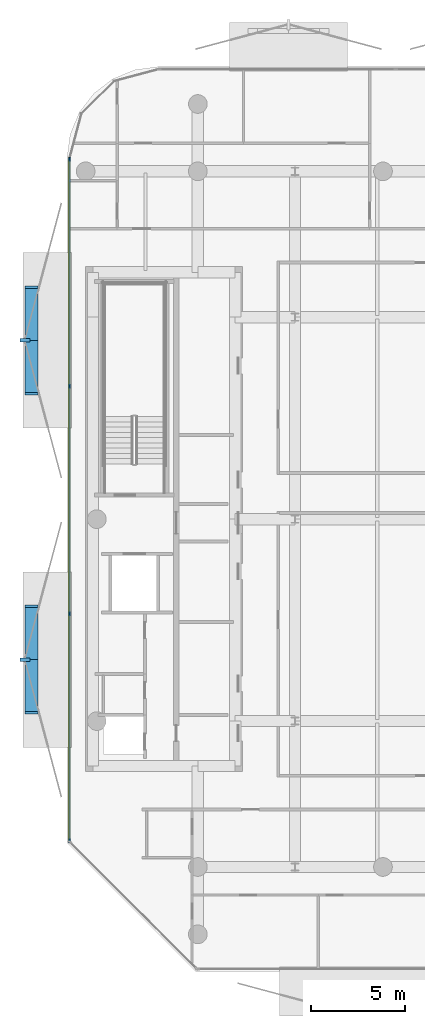
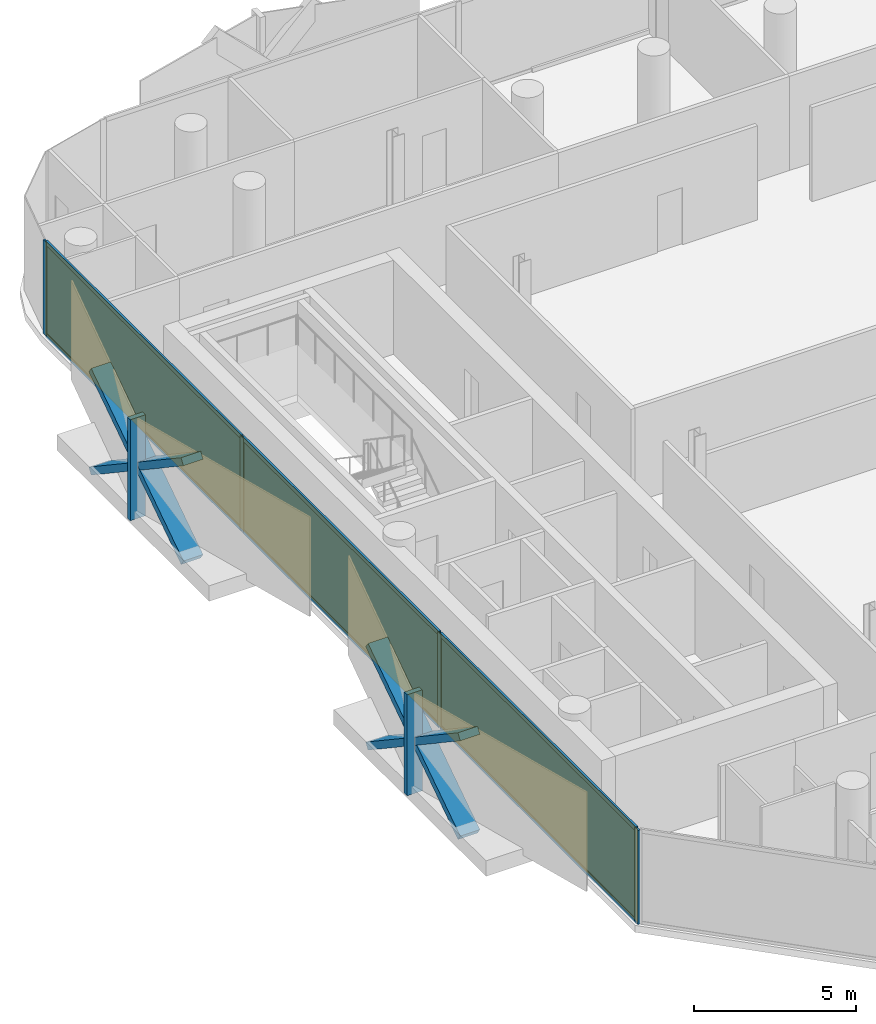
# One storey, part 10 of 16: 16 members, 3 plates, 1 curtain wall.
"""IFC4 building model written with IfcOpenShell, lengths in metres."""

from ifc_helpers import new_model, si_unit, direction, frame, frame_2d, origin, origin_2d, place, context, subcontext, project, spatial, rectangle, extrude, material, layer, layer_set, material_profile, profile_set, type_object, element, aggregate, save


model = new_model("IFC4")

# Units and contexts
model_context = context("Model", 3, precision=1e-05, world=origin(), true_north=direction((0.0, 1.0)))
body_context = subcontext(model_context, "Body", "Model", "MODEL_VIEW")
ifc_project = project(units=[si_unit("LENGTHUNIT", "METRE"), si_unit("AREAUNIT", "SQUARE_METRE"), si_unit("VOLUMEUNIT", "CUBIC_METRE"), si_unit("PLANEANGLEUNIT", "RADIAN"), si_unit("MASSUNIT", "GRAM", prefix="KILO")], contexts=[model_context])

# Member
ifc_material_1 = material(Name="Anodised Bronze Aluminium 6063-T6", Category="aluminium")
ifc_material_profile_1 = material_profile(ifc_material_1, rectangle(XDim=0.260009765625, YDim=0.699951171875, at=origin_2d()))
ifc_profile_set_1 = profile_set([ifc_material_profile_1], Name="Anodised Bronze Aluminium 6063-T6")
member_type_1 = type_object("IfcMemberType", Name="Bronze Diamond Solar-Screen Lattice Rib BDL-700", PredefinedType="MULLION", material=ifc_profile_set_1)
site_placement = place(None, origin())
building_placement = place(site_placement, origin())
storey_placement = place(building_placement, frame((0.0, 0.0, 292.800048828125)))
member_1_placement = place(storey_placement, frame((-23.300048828125, -10.353271484375, -0.130126953125), z_axis=(0.0, 0.83155035575, 0.555449372897), x_axis=(0.0, -0.555449372897, 0.83155035575)))
member_1 = element("IfcMember", 1, at=member_1_placement, type_object=member_type_1, Name="L70 Bronze Diamond Solar Screen Lattice Rib 488A", PredefinedType="MULLION", context=body_context, shape_type="SweptSolid", body=[
    extrude(rectangle(XDim=0.260009765625, YDim=0.699951171875, at=origin_2d()), origin(), (0.0, 0.0, 1.0), 6.84130859375),
])

member_2_placement = place(storey_placement, frame((-23.300048828125, -4.664306640625, -0.130126953125), z_axis=(0.0, -0.83155035575, 0.555449372897), x_axis=(0.0, 0.555449372897, 0.83155035575)))
member_2 = element("IfcMember", 2, at=member_2_placement, type_object=member_type_1, Name="L70 Bronze Diamond Solar Screen Lattice Rib 488B", PredefinedType="MULLION", context=body_context, shape_type="SweptSolid", body=[
    extrude(rectangle(XDim=0.260009765625, YDim=0.699951171875, at=origin_2d()), origin(), (0.0, 0.0, 1.0), 6.84130859375),
])

member_3_placement = place(storey_placement, frame((-23.300048828125, 6.713134765625, -0.130126953125), z_axis=(0.0, 0.83155035575, 0.555449372897), x_axis=(0.0, -0.555449372897, 0.83155035575)))
member_3 = element("IfcMember", 3, at=member_3_placement, type_object=member_type_1, Name="L70 Bronze Diamond Solar Screen Lattice Rib 489A", PredefinedType="MULLION", context=body_context, shape_type="SweptSolid", body=[
    extrude(rectangle(XDim=0.260009765625, YDim=0.699951171875, at=origin_2d()), origin(), (0.0, 0.0, 1.0), 6.84130859375),
])

member_4_placement = place(storey_placement, frame((-23.300048828125, 12.402099609375, -0.130126953125), z_axis=(0.0, -0.83155035575, 0.555449372897), x_axis=(0.0, 0.555449372897, 0.83155035575)))
member_4 = element("IfcMember", 4, at=member_4_placement, type_object=member_type_1, Name="L70 Bronze Diamond Solar Screen Lattice Rib 489B", PredefinedType="MULLION", context=body_context, shape_type="SweptSolid", body=[
    extrude(rectangle(XDim=0.260009765625, YDim=0.699951171875, at=origin_2d()), origin(), (0.0, 0.0, 1.0), 6.84130859375),
])

ifc_material_2 = material(Name="Anodised Bronze Aluminium 6063-T6", Category="aluminium")
ifc_material_profile_2 = material_profile(ifc_material_2, rectangle(XDim=0.179931640625, YDim=0.5400390625, at=origin_2d()))
ifc_profile_set_2 = profile_set([ifc_material_profile_2], Name="Anodised Bronze Aluminium 6063-T6")
member_type_2 = type_object("IfcMemberType", Name="Bronze Solar-Screen Vertical Fold Fin BSF-540", PredefinedType="MULLION", material=ifc_profile_set_2)
member_5_placement = place(storey_placement, frame((-23.639892578125, -7.5087890625, -0.130126953125), z_axis=(0.0, 0.0, 1.0), x_axis=(0.0, 1.0, 0.0)))
member_5 = element("IfcMember", 5, at=member_5_placement, type_object=member_type_2, Name="L70 Bronze Solar Screen Vertical Fin 488", PredefinedType="MULLION", context=body_context, shape_type="SweptSolid", body=[
    extrude(rectangle(XDim=0.179931640625, YDim=0.5400390625, at=origin_2d()), origin(), (0.0, 0.0, 1.0), 3.800048828125),
])

member_6_placement = place(storey_placement, frame((-23.639892578125, 9.5576171875, -0.130126953125), z_axis=(0.0, 0.0, 1.0), x_axis=(0.0, 1.0, 0.0)))
member_6 = element("IfcMember", 6, at=member_6_placement, type_object=member_type_2, Name="L70 Bronze Solar Screen Vertical Fin 489", PredefinedType="MULLION", context=body_context, shape_type="SweptSolid", body=[
    extrude(rectangle(XDim=0.179931640625, YDim=0.5400390625, at=origin_2d()), origin(), (0.0, 0.0, 1.0), 3.800048828125),
])

ifc_material_3 = material(Name="Anodised Bronze Aluminium 6063-T6", Category="aluminium")
ifc_material_profile_3 = material_profile(ifc_material_3, rectangle(XDim=0.074951171875, YDim=0.2099609375, at=origin_2d()))
ifc_profile_set_3 = profile_set([ifc_material_profile_3], Name="Anodised Bronze Aluminium 6063-T6")
member_type_3 = type_object("IfcMemberType", Name="CW-CRN Mullion 75x210", PredefinedType="MULLION", material=ifc_profile_set_3)
member_7_placement = place(storey_placement, frame((-21.260009765625, -17.20458984375, 0.0), z_axis=(0.0, 0.0, 1.0), x_axis=(-1.0, 0.0, 0.0)))
member_7 = element("IfcMember", 7, at=member_7_placement, type_object=member_type_3, Name="CW-CRN mullion 1", PredefinedType="MULLION", context=body_context, shape_type="SweptSolid", body=[
    extrude(rectangle(XDim=0.074951171875, YDim=0.2099609375, at=origin_2d()), origin(), (0.0, 0.0, 1.0), 3.5400390625),
])

member_8_placement = place(storey_placement, frame((-21.260009765625, -5.064453125, 0.0), z_axis=(0.0, 0.0, 1.0), x_axis=(-1.0, 0.0, 0.0)))
member_8 = element("IfcMember", 8, at=member_8_placement, type_object=member_type_3, Name="CW-CRN mullion 2", PredefinedType="MULLION", context=body_context, shape_type="SweptSolid", body=[
    extrude(rectangle(XDim=0.074951171875, YDim=0.2099609375, at=origin_2d()), origin(), (0.0, 0.0, 1.0), 3.5400390625),
])

member_9_placement = place(storey_placement, frame((-21.260009765625, 7.11328125, 0.0), z_axis=(0.0, 0.0, 1.0), x_axis=(-1.0, 0.0, 0.0)))
member_9 = element("IfcMember", 9, at=member_9_placement, type_object=member_type_3, Name="CW-CRN mullion 3", PredefinedType="MULLION", context=body_context, shape_type="SweptSolid", body=[
    extrude(rectangle(XDim=0.074951171875, YDim=0.2099609375, at=origin_2d()), origin(), (0.0, 0.0, 1.0), 3.5400390625),
])

member_10_placement = place(storey_placement, frame((-21.260009765625, 19.25341796875, 0.0), z_axis=(0.0, 0.0, 1.0), x_axis=(-1.0, 0.0, 0.0)))
member_10 = element("IfcMember", 10, at=member_10_placement, type_object=member_type_3, Name="CW-CRN mullion 4", PredefinedType="MULLION", context=body_context, shape_type="SweptSolid", body=[
    extrude(rectangle(XDim=0.074951171875, YDim=0.2099609375, at=origin_2d()), origin(), (0.0, 0.0, 1.0), 3.5400390625),
])

ifc_material_4 = material(Name="Anodised Bronze Aluminium 6063-T6", Category="aluminium")
ifc_material_profile_4 = material_profile(ifc_material_4, rectangle(XDim=0.074951171875, YDim=0.1650390625, at=origin_2d()))
ifc_profile_set_4 = profile_set([ifc_material_profile_4], Name="Anodised Bronze Aluminium 6063-T6")
member_type_4 = type_object("IfcMemberType", Name="CW-CRN Transom 75x165", PredefinedType="USERDEFINED", material=ifc_profile_set_4)
member_11_placement = place(storey_placement, frame((-21.260009765625, -17.1669921875, 0.037353515625), z_axis=(0.0, 1.0, 0.0), x_axis=(-1.0, 0.0, 0.0)))
member_11 = element("IfcMember", 11, at=member_11_placement, type_object=member_type_4, Name="CW-CRN transom 1.1", ObjectType="TRANSOM", PredefinedType="USERDEFINED", context=body_context, shape_type="SweptSolid", body=[
    extrude(rectangle(XDim=0.074951171875, YDim=0.1650390625, at=origin_2d()), origin(), (0.0, 0.0, 1.0), 12.065185546875),
])

member_12_placement = place(storey_placement, frame((-21.260009765625, -17.1669921875, 3.50244140625), z_axis=(0.0, 1.0, 0.0), x_axis=(-1.0, 0.0, 0.0)))
member_12 = element("IfcMember", 12, at=member_12_placement, type_object=member_type_4, Name="CW-CRN transom 1.2", ObjectType="TRANSOM", PredefinedType="USERDEFINED", context=body_context, shape_type="SweptSolid", body=[
    extrude(rectangle(XDim=0.074951171875, YDim=0.1650390625, at=origin_2d()), origin(), (0.0, 0.0, 1.0), 12.065185546875),
])

member_13_placement = place(storey_placement, frame((-21.260009765625, -5.02685546875, 0.037353515625), z_axis=(0.0, 1.0, 0.0), x_axis=(-1.0, 0.0, 0.0)))
member_13 = element("IfcMember", 13, at=member_13_placement, type_object=member_type_4, Name="CW-CRN transom 2.1", ObjectType="TRANSOM", PredefinedType="USERDEFINED", context=body_context, shape_type="SweptSolid", body=[
    extrude(rectangle(XDim=0.074951171875, YDim=0.1650390625, at=origin_2d()), origin(), (0.0, 0.0, 1.0), 12.1025390625),
])

member_14_placement = place(storey_placement, frame((-21.260009765625, -5.02685546875, 3.50244140625), z_axis=(0.0, 1.0, 0.0), x_axis=(-1.0, 0.0, 0.0)))
member_14 = element("IfcMember", 14, at=member_14_placement, type_object=member_type_4, Name="CW-CRN transom 2.2", ObjectType="TRANSOM", PredefinedType="USERDEFINED", context=body_context, shape_type="SweptSolid", body=[
    extrude(rectangle(XDim=0.074951171875, YDim=0.1650390625, at=origin_2d()), origin(), (0.0, 0.0, 1.0), 12.1025390625),
])

member_15_placement = place(storey_placement, frame((-21.260009765625, 7.150634765625, 0.037353515625), z_axis=(0.0, 1.0, 0.0), x_axis=(-1.0, 0.0, 0.0)))
member_15 = element("IfcMember", 15, at=member_15_placement, type_object=member_type_4, Name="CW-CRN transom 3.1", ObjectType="TRANSOM", PredefinedType="USERDEFINED", context=body_context, shape_type="SweptSolid", body=[
    extrude(rectangle(XDim=0.074951171875, YDim=0.1650390625, at=origin_2d()), origin(), (0.0, 0.0, 1.0), 12.065185546875),
])

member_16_placement = place(storey_placement, frame((-21.260009765625, 7.150634765625, 3.50244140625), z_axis=(0.0, 1.0, 0.0), x_axis=(-1.0, 0.0, 0.0)))
member_16 = element("IfcMember", 16, at=member_16_placement, type_object=member_type_4, Name="CW-CRN transom 3.2", ObjectType="TRANSOM", PredefinedType="USERDEFINED", context=body_context, shape_type="SweptSolid", body=[
    extrude(rectangle(XDim=0.074951171875, YDim=0.1650390625, at=origin_2d()), origin(), (0.0, 0.0, 1.0), 12.065185546875),
])

# Plate
ifc_material_5 = material(Name="Low-E Solar Control Laminated Glass", Category="glass")
ifc_layer_1 = layer(ifc_material_5, 0.035888671875, Name="Low-E Solar Control Laminated Glass")
ifc_layer_set_1 = layer_set([ifc_layer_1], Name="Low-E Solar Control Laminated Glass")
plate_type = type_object("IfcPlateType", Name="CW-CRN Low-E Double Glazed Panel 36mm", PredefinedType="CURTAIN_PANEL", material=ifc_layer_set_1)
plate_1_placement = place(storey_placement, frame((-21.260009765625, -11.134521484375, 0.0751953125), z_axis=(0.0, 0.0, 1.0), x_axis=(0.0, 1.0, 0.0)))
plate_1 = element("IfcPlate", 17, at=plate_1_placement, type_object=plate_type, Name="CW-CRN panel 1.1", PredefinedType="CURTAIN_PANEL", context=body_context, shape_type="SweptSolid", body=[
    extrude(rectangle(XDim=12.065185546875, YDim=0.035888671875, at=origin_2d()), origin(), (0.0, 0.0, 1.0), 3.389892578125),
])

plate_2_placement = place(storey_placement, frame((-21.260009765625, 1.0244140625, 0.0751953125), z_axis=(0.0, 0.0, 1.0), x_axis=(0.0, 1.0, 0.0)))
plate_2 = element("IfcPlate", 18, at=plate_2_placement, type_object=plate_type, Name="CW-CRN panel 2.1", PredefinedType="CURTAIN_PANEL", context=body_context, shape_type="SweptSolid", body=[
    extrude(rectangle(XDim=12.1025390625, YDim=0.035888671875, at=origin_2d()), origin(), (0.0, 0.0, 1.0), 3.389892578125),
])

plate_3_placement = place(storey_placement, frame((-21.260009765625, 13.183349609375, 0.0751953125), z_axis=(0.0, 0.0, 1.0), x_axis=(0.0, 1.0, 0.0)))
plate_3 = element("IfcPlate", 19, at=plate_3_placement, type_object=plate_type, Name="CW-CRN panel 3.1", PredefinedType="CURTAIN_PANEL", context=body_context, shape_type="SweptSolid", body=[
    extrude(rectangle(XDim=12.065185546875, YDim=0.035888671875, at=origin_2d()), origin(), (0.0, 0.0, 1.0), 3.389892578125),
])

# Site, building, storey
site = spatial("IfcSite", under=ifc_project, at=site_placement, CompositionType="ELEMENT")
building = spatial("IfcBuilding", under=site, at=building_placement, Name="Khairoan Windgate Tower", CompositionType="ELEMENT")
storey = spatial("IfcBuildingStorey", under=building, at=storey_placement, Name="L70", CompositionType="ELEMENT", Elevation=292.800048828125)

# Curtain wall
ifc_material_6 = material(Name="Anodised Bronze Aluminium 6063-T6", Category="aluminium")
ifc_layer_2 = layer(ifc_material_6, 0.2099609375, Name="Anodised Bronze Aluminium 6063-T6")
ifc_layer_set_2 = layer_set([ifc_layer_2], Name="Anodised Bronze Aluminium 6063-T6")
curtain_wall_type = type_object("IfcCurtainWallType", Name="Crown Observation and Vitrine Curtain Wall CW-CRN", PredefinedType="NOTDEFINED", material=ifc_layer_set_2)
curtain_wall_placement = place(storey_placement, frame((-21.260009765625, -17.241943359375, 0.0), z_axis=(0.0, 0.0, 1.0), x_axis=(0.0, 1.0, 0.0)))
curtain_wall = element("IfcCurtainWall", 20, at=curtain_wall_placement, inside=storey, type_object=curtain_wall_type, Name="L70 Unitised Curtain Wall 3", PredefinedType="NOTDEFINED", context=body_context, shape_type="SweptSolid", body=[
    extrude(rectangle(XDim=36.53271484375, YDim=0.010009765625, at=frame_2d((18.266357421875, 0.0))), origin(), (0.0, 0.0, 1.0), 3.5400390625),
])

aggregate(curtain_wall, [member_7, member_8, member_9, member_10, member_11, member_12, plate_1, member_13, member_14, plate_2, member_15, member_16, plate_3, member_1, member_2, member_5, member_3, member_4, member_6])

save(model, "model.ifc")
